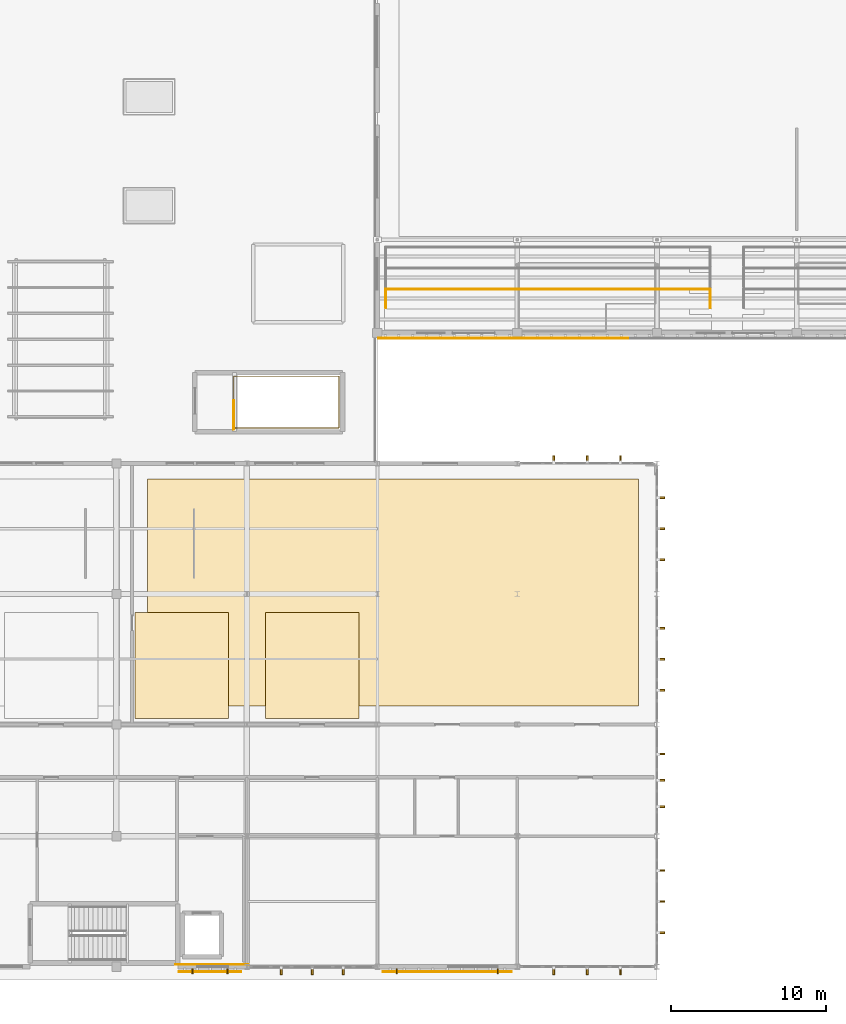
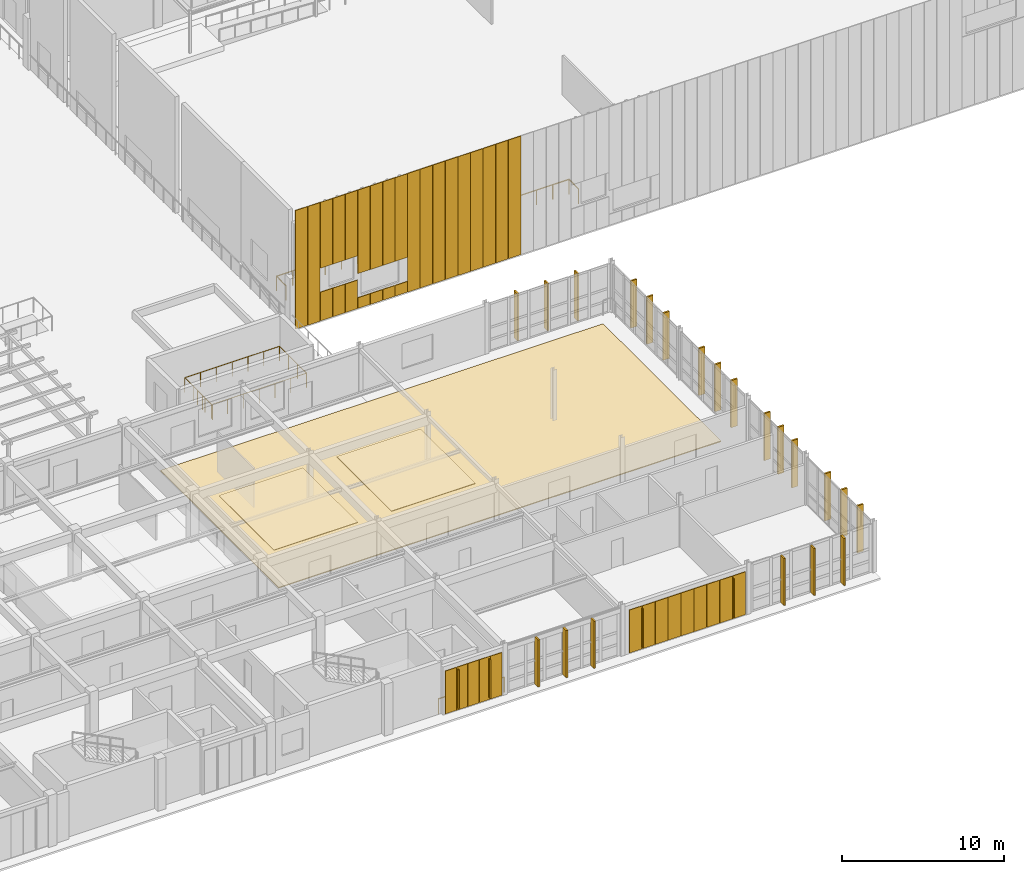
# One storey, part 61 of 67: 63 coverings, 4 railings, 4 shading devices.
"""IFC4 building model written with IfcOpenShell, lengths in metres."""

from ifc_helpers import new_model, si_unit, direction, frame, origin, origin_2d, place, context, subcontext, project, spatial, polyline, rectangle, circle, outline, extrude, material, layer, layer_set, type_object, element, save


model = new_model("IFC4")

# Units and contexts
model_context = context("Model", 3, precision=1e-05, world=origin(), true_north=direction((0.0, 1.0)))
body_context = subcontext(model_context, "Body", "Model", "MODEL_VIEW")
ifc_project = project(units=[si_unit("LENGTHUNIT", "METRE"), si_unit("AREAUNIT", "SQUARE_METRE"), si_unit("VOLUMEUNIT", "CUBIC_METRE"), si_unit("PLANEANGLEUNIT", "RADIAN"), si_unit("MASSUNIT", "GRAM", prefix="KILO")], contexts=[model_context])

# Site, building, storey
site_placement = place(None, origin())
site = spatial("IfcSite", under=ifc_project, at=site_placement, CompositionType="ELEMENT")
building_placement = place(site_placement, origin())
building = spatial("IfcBuilding", under=site, at=building_placement, Name="Tizgana Railside Sports Hall", CompositionType="ELEMENT")
storey_placement = place(building_placement, frame((0.0, 0.0, 12.0)))
storey = spatial("IfcBuildingStorey", under=building, at=storey_placement, Name="L02", CompositionType="ELEMENT", Elevation=12.0)

# Shading devices
ifc_material_1 = material(Name="Glulam GL28h", Category="wood")
shading_device_type = type_object("IfcShadingDeviceType", Name="Glulam Vertical Brise-Soleil Fin 320", PredefinedType="JALOUSIE", material=ifc_material_1)
for number, where, z_axis, x_axis, name in (
    (1, (70.14990234375, -0.2939453125, 0.35009765625), (0.0, 0.0, 1.0), (-1.0, 0.0, 0.0), "L02 Glulam Fin FIN-0043"),
    (2, (67.89990234375, -0.2939453125, 0.35009765625), (0.0, 0.0, 1.0), (-1.0, 0.0, 0.0), "L02 Glulam Fin FIN-0044"),
    (3, (87.550048828125, -0.2939453125, 0.35009765625), (0.0, 0.0, 1.0), (-1.0, 0.0, 0.0), "L02 Glulam Fin FIN-0045"),
    (4, (81.050048828125, -0.2939453125, 0.35009765625), (0.0, 0.0, 1.0), (-1.0, 0.0, 0.0), "L02 Glulam Fin FIN-0046"),
):
    element("IfcShadingDevice", number, at=place(storey_placement, frame(where, z_axis=z_axis, x_axis=x_axis)), inside=storey, type_object=shading_device_type, Name=name, PredefinedType="JALOUSIE", context=body_context, shape_type="SweptSolid", body=[
        extrude(rectangle(XDim=0.080078125, YDim=0.320068359375, at=origin_2d()), origin(), (0.0, 0.0, 1.0), 2.93994140625),
    ])

# Coverings
ifc_layer_1 = layer(ifc_material_1, 0.139892578125, Name="Glulam GL28h")
ifc_layer_set_1 = layer_set([ifc_layer_1], Name="Glulam GL28h")
covering_type_1 = type_object("IfcCoveringType", Name="Mass-Timber Brise-Soleil & Pergola Fin", PredefinedType="CLADDING", material=ifc_layer_set_1)
for number, where, z_axis, x_axis, name in (
    (5, (77.597412109375, -0.280029296875, 0.0400390625), (0.0, 0.0, 1.0), (-1.0, 0.0, 0.0), "L02 Timber Brise-Soleil Fin"),
    (6, (75.60009765625, -0.280029296875, 0.0400390625), (0.0, 0.0, 1.0), (-1.0, 0.0, 0.0), "L02 Timber Brise-Soleil Fin"),
    (7, (73.6025390625, -0.280029296875, 0.0400390625), (0.0, 0.0, 1.0), (-1.0, 0.0, 0.0), "L02 Timber Brise-Soleil Fin"),
    (8, (95.447509765625, -0.280029296875, 0.0400390625), (0.0, 0.0, 1.0), (-1.0, 0.0, 0.0), "L02 Timber Brise-Soleil Fin"),
    (9, (93.300048828125, -0.280029296875, 0.0400390625), (0.0, 0.0, 1.0), (-1.0, 0.0, 0.0), "L02 Timber Brise-Soleil Fin"),
    (10, (91.152587890625, -0.280029296875, 0.0400390625), (0.0, 0.0, 1.0), (-1.0, 0.0, 0.0), "L02 Timber Brise-Soleil Fin"),
    (11, (91.152587890625, 32.679931640625, 0.0400390625), (0.0, 0.0, 1.0), (1.0, 0.0, 0.0), "L02 Timber Brise-Soleil Fin"),
    (12, (93.300048828125, 32.679931640625, 0.0400390625), (0.0, 0.0, 1.0), (1.0, 0.0, 0.0), "L02 Timber Brise-Soleil Fin"),
    (13, (95.447509765625, 32.679931640625, 0.0400390625), (0.0, 0.0, 1.0), (1.0, 0.0, 0.0), "L02 Timber Brise-Soleil Fin"),
    (14, (98.080078125, 6.197509765625, 0.0400390625), (0.0, 0.0, 1.0), (0.0, -1.0, 0.0), "L02 Timber Brise-Soleil Fin"),
    (15, (98.080078125, 4.199951171875, 0.0400390625), (0.0, 0.0, 1.0), (0.0, -1.0, 0.0), "L02 Timber Brise-Soleil Fin"),
    (16, (98.080078125, 2.202392578125, 0.0400390625), (0.0, 0.0, 1.0), (0.0, -1.0, 0.0), "L02 Timber Brise-Soleil Fin"),
    (17, (98.080078125, 13.697509765625, 0.0400390625), (0.0, 0.0, 1.0), (0.0, -1.0, 0.0), "L02 Timber Brise-Soleil Fin"),
    (18, (98.080078125, 12.0, 0.0400390625), (0.0, 0.0, 1.0), (0.0, -1.0, 0.0), "L02 Timber Brise-Soleil Fin"),
    (19, (98.080078125, 10.302490234375, 0.0400390625), (0.0, 0.0, 1.0), (0.0, -1.0, 0.0), "L02 Timber Brise-Soleil Fin"),
    (20, (98.080078125, 21.797607421875, 0.0400390625), (0.0, 0.0, 1.0), (0.0, -1.0, 0.0), "L02 Timber Brise-Soleil Fin"),
    (21, (98.080078125, 19.800048828125, 0.0400390625), (0.0, 0.0, 1.0), (0.0, -1.0, 0.0), "L02 Timber Brise-Soleil Fin"),
    (22, (98.080078125, 17.802490234375, 0.0400390625), (0.0, 0.0, 1.0), (0.0, -1.0, 0.0), "L02 Timber Brise-Soleil Fin"),
    (23, (98.080078125, 30.197509765625, 0.0400390625), (0.0, 0.0, 1.0), (0.0, -1.0, 0.0), "L02 Timber Brise-Soleil Fin"),
    (24, (98.080078125, 28.199951171875, 0.0400390625), (0.0, 0.0, 1.0), (0.0, -1.0, 0.0), "L02 Timber Brise-Soleil Fin"),
    (25, (98.080078125, 26.202392578125, 0.0400390625), (0.0, 0.0, 1.0), (0.0, -1.0, 0.0), "L02 Timber Brise-Soleil Fin"),
):
    element("IfcCovering", number, at=place(storey_placement, frame(where, z_axis=z_axis, x_axis=x_axis)), inside=storey, type_object=covering_type_1, Name=name, PredefinedType="CLADDING", context=body_context, shape_type="SweptSolid", body=[
        extrude(rectangle(XDim=0.1201171875, YDim=0.43994140625, at=origin_2d()), origin(), (0.0, 0.0, 1.0), 3.56005859375),
    ])
ifc_material_2 = material(Name="Anodised perforated aluminium screen", Category="aluminium")
ifc_layer_2 = layer(ifc_material_2, 0.044921875, Name="Anodised perforated aluminium screen")
ifc_layer_set_2 = layer_set([ifc_layer_2], Name="Anodised perforated aluminium screen")
covering_type_2 = type_object("IfcCoveringType", Name="Perforated Aluminium Hall Screen 900", PredefinedType="CLADDING", material=ifc_layer_set_2)
covering_1_placement = place(storey_placement, frame((88.304931640625, 40.465087890625, 0.02001953125), z_axis=(0.0, 0.0, 1.0), x_axis=(-1.0, 0.0, 0.0)))
element("IfcCovering", 26, at=covering_1_placement, inside=storey, type_object=covering_type_2, Name="L02 Perforated Screen SCR-0212", PredefinedType="CLADDING", context=body_context, shape_type="SweptSolid", body=[
    extrude(rectangle(XDim=0.8720703125, YDim=0.044921875, at=origin_2d()), origin(), (0.0, 0.0, 1.0), 8.9599609375),
])
covering_2_placement = place(storey_placement, frame((87.4150390625, 40.465087890625, 0.030029296875), z_axis=(0.0, 0.0, 1.0), x_axis=(-1.0, 0.0, 0.0)))
element("IfcCovering", 27, at=covering_2_placement, inside=storey, type_object=covering_type_2, Name="L02 Perforated Spandrel SCR-0213", PredefinedType="CLADDING", context=body_context, shape_type="SweptSolid", body=[
    extrude(rectangle(XDim=0.8720703125, YDim=0.044921875, at=origin_2d()), origin(), (0.0, 0.0, 1.0), 0.81005859375),
])
covering_3_placement = place(storey_placement, frame((87.4150390625, 40.465087890625, 2.659912109375), z_axis=(0.0, 0.0, 1.0), x_axis=(-1.0, 0.0, 0.0)))
element("IfcCovering", 28, at=covering_3_placement, inside=storey, type_object=covering_type_2, Name="L02 Perforated Header SCR-0214", PredefinedType="CLADDING", context=body_context, shape_type="SweptSolid", body=[
    extrude(rectangle(XDim=0.8720703125, YDim=0.044921875, at=origin_2d()), origin(), (0.0, 0.0, 1.0), 6.31005859375),
])
covering_4_placement = place(storey_placement, frame((86.52490234375, 40.465087890625, 0.030029296875), z_axis=(0.0, 0.0, 1.0), x_axis=(-1.0, 0.0, 0.0)))
element("IfcCovering", 29, at=covering_4_placement, inside=storey, type_object=covering_type_2, Name="L02 Perforated Spandrel SCR-0215", PredefinedType="CLADDING", context=body_context, shape_type="SweptSolid", body=[
    extrude(rectangle(XDim=0.8720703125, YDim=0.044921875, at=origin_2d()), origin(), (0.0, 0.0, 1.0), 0.81005859375),
])
covering_5_placement = place(storey_placement, frame((86.52490234375, 40.465087890625, 2.659912109375), z_axis=(0.0, 0.0, 1.0), x_axis=(-1.0, 0.0, 0.0)))
element("IfcCovering", 30, at=covering_5_placement, inside=storey, type_object=covering_type_2, Name="L02 Perforated Header SCR-0216", PredefinedType="CLADDING", context=body_context, shape_type="SweptSolid", body=[
    extrude(rectangle(XDim=0.8720703125, YDim=0.044921875, at=origin_2d()), origin(), (0.0, 0.0, 1.0), 6.31005859375),
])
covering_6_placement = place(storey_placement, frame((85.635009765625, 40.465087890625, 0.030029296875), z_axis=(0.0, 0.0, 1.0), x_axis=(-1.0, 0.0, 0.0)))
element("IfcCovering", 31, at=covering_6_placement, inside=storey, type_object=covering_type_2, Name="L02 Perforated Spandrel SCR-0217", PredefinedType="CLADDING", context=body_context, shape_type="SweptSolid", body=[
    extrude(rectangle(XDim=0.8720703125, YDim=0.044921875, at=origin_2d()), origin(), (0.0, 0.0, 1.0), 0.81005859375),
])
covering_7_placement = place(storey_placement, frame((85.635009765625, 40.465087890625, 2.659912109375), z_axis=(0.0, 0.0, 1.0), x_axis=(-1.0, 0.0, 0.0)))
element("IfcCovering", 32, at=covering_7_placement, inside=storey, type_object=covering_type_2, Name="L02 Perforated Header SCR-0218", PredefinedType="CLADDING", context=body_context, shape_type="SweptSolid", body=[
    extrude(rectangle(XDim=0.8720703125, YDim=0.044921875, at=origin_2d()), origin(), (0.0, 0.0, 1.0), 6.31005859375),
])
covering_8_placement = place(storey_placement, frame((84.7451171875, 40.465087890625, 0.030029296875), z_axis=(0.0, 0.0, 1.0), x_axis=(-1.0, 0.0, 0.0)))
element("IfcCovering", 33, at=covering_8_placement, inside=storey, type_object=covering_type_2, Name="L02 Perforated Spandrel SCR-0219", PredefinedType="CLADDING", context=body_context, shape_type="SweptSolid", body=[
    extrude(rectangle(XDim=0.8720703125, YDim=0.044921875, at=origin_2d()), origin(), (0.0, 0.0, 1.0), 0.81005859375),
])
covering_9_placement = place(storey_placement, frame((84.7451171875, 40.465087890625, 2.659912109375), z_axis=(0.0, 0.0, 1.0), x_axis=(-1.0, 0.0, 0.0)))
element("IfcCovering", 34, at=covering_9_placement, inside=storey, type_object=covering_type_2, Name="L02 Perforated Header SCR-0220", PredefinedType="CLADDING", context=body_context, shape_type="SweptSolid", body=[
    extrude(rectangle(XDim=0.8720703125, YDim=0.044921875, at=origin_2d()), origin(), (0.0, 0.0, 1.0), 6.31005859375),
])
covering_10_placement = place(storey_placement, frame((83.85498046875, 40.465087890625, 0.0302734375), z_axis=(0.0, 0.0, 1.0), x_axis=(-1.0, 0.0, 0.0)))
element("IfcCovering", 35, at=covering_10_placement, inside=storey, type_object=covering_type_2, Name="L02 Perforated Spandrel SCR-0221", PredefinedType="CLADDING", context=body_context, shape_type="SweptSolid", body=[
    extrude(rectangle(XDim=0.8720703125, YDim=0.044921875, at=origin_2d()), origin(), (0.0, 0.0, 1.0), 2.159912109375),
])
covering_11_placement = place(storey_placement, frame((83.85498046875, 40.465087890625, 4.010009765625), z_axis=(0.0, 0.0, 1.0), x_axis=(-1.0, 0.0, 0.0)))
element("IfcCovering", 36, at=covering_11_placement, inside=storey, type_object=covering_type_2, Name="L02 Perforated Header SCR-0222", PredefinedType="CLADDING", context=body_context, shape_type="SweptSolid", body=[
    extrude(rectangle(XDim=0.8720703125, YDim=0.044921875, at=origin_2d()), origin(), (0.0, 0.0, 1.0), 4.9599609375),
])
covering_12_placement = place(storey_placement, frame((82.965087890625, 40.465087890625, 0.0302734375), z_axis=(0.0, 0.0, 1.0), x_axis=(-1.0, 0.0, 0.0)))
element("IfcCovering", 37, at=covering_12_placement, inside=storey, type_object=covering_type_2, Name="L02 Perforated Spandrel SCR-0223", PredefinedType="CLADDING", context=body_context, shape_type="SweptSolid", body=[
    extrude(rectangle(XDim=0.8720703125, YDim=0.044921875, at=origin_2d()), origin(), (0.0, 0.0, 1.0), 2.159912109375),
])
covering_13_placement = place(storey_placement, frame((82.965087890625, 40.465087890625, 4.010009765625), z_axis=(0.0, 0.0, 1.0), x_axis=(-1.0, 0.0, 0.0)))
element("IfcCovering", 38, at=covering_13_placement, inside=storey, type_object=covering_type_2, Name="L02 Perforated Header SCR-0224", PredefinedType="CLADDING", context=body_context, shape_type="SweptSolid", body=[
    extrude(rectangle(XDim=0.8720703125, YDim=0.044921875, at=origin_2d()), origin(), (0.0, 0.0, 1.0), 4.9599609375),
])
covering_14_placement = place(storey_placement, frame((82.074951171875, 40.465087890625, 0.0302734375), z_axis=(0.0, 0.0, 1.0), x_axis=(-1.0, 0.0, 0.0)))
element("IfcCovering", 39, at=covering_14_placement, inside=storey, type_object=covering_type_2, Name="L02 Perforated Spandrel SCR-0225", PredefinedType="CLADDING", context=body_context, shape_type="SweptSolid", body=[
    extrude(rectangle(XDim=0.8720703125, YDim=0.044921875, at=origin_2d()), origin(), (0.0, 0.0, 1.0), 2.159912109375),
])
covering_15_placement = place(storey_placement, frame((82.074951171875, 40.465087890625, 4.010009765625), z_axis=(0.0, 0.0, 1.0), x_axis=(-1.0, 0.0, 0.0)))
element("IfcCovering", 40, at=covering_15_placement, inside=storey, type_object=covering_type_2, Name="L02 Perforated Header SCR-0226", PredefinedType="CLADDING", context=body_context, shape_type="SweptSolid", body=[
    extrude(rectangle(XDim=0.8720703125, YDim=0.044921875, at=origin_2d()), origin(), (0.0, 0.0, 1.0), 4.9599609375),
])
for number, where, z_axis, x_axis, name in (
    (41, (81.18505859375, 40.465087890625, 0.02001953125), (0.0, 0.0, 1.0), (-1.0, 0.0, 0.0), "L02 Perforated Screen SCR-0227"),
    (42, (80.294921875, 40.465087890625, 0.02001953125), (0.0, 0.0, 1.0), (-1.0, 0.0, 0.0), "L02 Perforated Screen SCR-0228"),
):
    element("IfcCovering", number, at=place(storey_placement, frame(where, z_axis=z_axis, x_axis=x_axis)), inside=storey, type_object=covering_type_2, Name=name, PredefinedType="CLADDING", context=body_context, shape_type="SweptSolid", body=[
        extrude(rectangle(XDim=0.8720703125, YDim=0.044921875, at=origin_2d()), origin(), (0.0, 0.0, 1.0), 8.9599609375),
    ])
for number, where, z_axis, x_axis, name in (
    (43, (95.501220703125, 40.465087890625, 0.02001953125), (0.0, 0.0, 1.0), (-1.0, 0.0, 0.0), "L02 Perforated Screen SCR-0256"),
    (44, (94.601806640625, 40.465087890625, 0.02001953125), (0.0, 0.0, 1.0), (-1.0, 0.0, 0.0), "L02 Perforated Screen SCR-0257"),
    (45, (93.7021484375, 40.465087890625, 0.02001953125), (0.0, 0.0, 1.0), (-1.0, 0.0, 0.0), "L02 Perforated Screen SCR-0258"),
    (46, (92.802734375, 40.465087890625, 0.02001953125), (0.0, 0.0, 1.0), (-1.0, 0.0, 0.0), "L02 Perforated Screen SCR-0259"),
    (47, (91.9033203125, 40.465087890625, 0.02001953125), (0.0, 0.0, 1.0), (-1.0, 0.0, 0.0), "L02 Perforated Screen SCR-0260"),
    (48, (91.003662109375, 40.465087890625, 0.02001953125), (0.0, 0.0, 1.0), (-1.0, 0.0, 0.0), "L02 Perforated Screen SCR-0261"),
    (49, (90.104248046875, 40.465087890625, 0.02001953125), (0.0, 0.0, 1.0), (-1.0, 0.0, 0.0), "L02 Perforated Screen SCR-0262"),
    (50, (89.20458984375, 40.465087890625, 0.02001953125), (0.0, 0.0, 1.0), (-1.0, 0.0, 0.0), "L02 Perforated Screen SCR-0263"),
):
    element("IfcCovering", number, at=place(storey_placement, frame(where, z_axis=z_axis, x_axis=x_axis)), inside=storey, type_object=covering_type_2, Name=name, PredefinedType="CLADDING", context=body_context, shape_type="SweptSolid", body=[
        extrude(rectangle(XDim=0.881591796875, YDim=0.044921875, at=origin_2d()), origin(), (0.0, 0.0, 1.0), 8.9599609375),
    ])
for number, where, z_axis, x_axis, name in (
    (51, (70.64501953125, -0.31494140625, 0.2001953125), (0.0, 0.0, 1.0), (-1.0, 0.0, 0.0), "L02 Perforated Screen SCR-0575"),
    (52, (69.8349609375, -0.31494140625, 0.2001953125), (0.0, 0.0, 1.0), (-1.0, 0.0, 0.0), "L02 Perforated Screen SCR-0576"),
    (53, (69.02490234375, -0.31494140625, 0.2001953125), (0.0, 0.0, 1.0), (-1.0, 0.0, 0.0), "L02 Perforated Screen SCR-0577"),
    (54, (68.215087890625, -0.31494140625, 0.2001953125), (0.0, 0.0, 1.0), (-1.0, 0.0, 0.0), "L02 Perforated Screen SCR-0578"),
    (55, (67.405029296875, -0.31494140625, 0.2001953125), (0.0, 0.0, 1.0), (-1.0, 0.0, 0.0), "L02 Perforated Screen SCR-0579"),
):
    element("IfcCovering", number, at=place(storey_placement, frame(where, z_axis=z_axis, x_axis=x_axis)), inside=storey, type_object=covering_type_2, Name=name, PredefinedType="CLADDING", context=body_context, shape_type="SweptSolid", body=[
        extrude(rectangle(XDim=0.7919921875, YDim=0.044921875, at=origin_2d()), origin(), (0.0, 0.0, 1.0), 3.239990234375),
    ])
for number, where, z_axis, x_axis, name in (
    (56, (87.989013671875, -0.31494140625, 0.2001953125), (0.0, 0.0, 1.0), (-1.0, 0.0, 0.0), "L02 Perforated Screen SCR-0580"),
    (57, (87.066650390625, -0.31494140625, 0.2001953125), (0.0, 0.0, 1.0), (-1.0, 0.0, 0.0), "L02 Perforated Screen SCR-0581"),
    (58, (86.144287109375, -0.31494140625, 0.2001953125), (0.0, 0.0, 1.0), (-1.0, 0.0, 0.0), "L02 Perforated Screen SCR-0582"),
    (59, (85.22216796875, -0.31494140625, 0.2001953125), (0.0, 0.0, 1.0), (-1.0, 0.0, 0.0), "L02 Perforated Screen SCR-0583"),
    (60, (84.300048828125, -0.31494140625, 0.2001953125), (0.0, 0.0, 1.0), (-1.0, 0.0, 0.0), "L02 Perforated Screen SCR-0584"),
    (61, (83.377685546875, -0.31494140625, 0.2001953125), (0.0, 0.0, 1.0), (-1.0, 0.0, 0.0), "L02 Perforated Screen SCR-0585"),
    (62, (82.45556640625, -0.31494140625, 0.2001953125), (0.0, 0.0, 1.0), (-1.0, 0.0, 0.0), "L02 Perforated Screen SCR-0586"),
    (63, (81.533203125, -0.31494140625, 0.2001953125), (0.0, 0.0, 1.0), (-1.0, 0.0, 0.0), "L02 Perforated Screen SCR-0587"),
    (64, (80.611083984375, -0.31494140625, 0.2001953125), (0.0, 0.0, 1.0), (-1.0, 0.0, 0.0), "L02 Perforated Screen SCR-0588"),
):
    element("IfcCovering", number, at=place(storey_placement, frame(where, z_axis=z_axis, x_axis=x_axis)), inside=storey, type_object=covering_type_2, Name=name, PredefinedType="CLADDING", context=body_context, shape_type="SweptSolid", body=[
        extrude(rectangle(XDim=0.904296875, YDim=0.044921875, at=origin_2d()), origin(), (0.0, 0.0, 1.0), 3.239990234375),
    ])

# Railings
ifc_material_3 = material(Name="Galvanised steel sheet", Category="steel")
railing_type_1 = type_object("IfcRailingType", Name="Safety Balustrade Guard 1100", PredefinedType="BALUSTRADE", material=ifc_material_3)
railing_1_placement = place(storey_placement, frame((70.550048828125, 34.60009765625, 0.0)))
element("IfcRailing", 65, at=railing_1_placement, inside=storey, type_object=railing_type_1, Name="L02 ST-10 top well guard 1", PredefinedType="BALUSTRADE", context=body_context, shape_type="SweptSolid", body=[
    extrude(circle(Radius=0.02392578125, at=origin_2d()), frame((0.0, 0.0, 1.076171875), z_axis=(0.0, 1.0, 0.0), x_axis=(-1.0, 0.0, 0.0)), (0.0, 0.0, 1.0), 1.849853515625),
    extrude(circle(Radius=0.02099609375, at=origin_2d()), origin(), (0.0, 0.0, 1.0), 1.052001953125),
    extrude(circle(Radius=0.02099609375, at=origin_2d()), frame((0.0, 0.9248046875, 0.0)), (0.0, 0.0, 1.0), 1.052001953125),
    extrude(circle(Radius=0.02099609375, at=origin_2d()), frame((0.0, 1.849853515625, 0.0)), (0.0, 0.0, 1.0), 1.052001953125),
])
railing_2_placement = place(storey_placement, frame((70.550048828125, 34.679931640625, 0.0)))
element("IfcRailing", 66, at=railing_2_placement, inside=storey, type_object=railing_type_1, Name="L02 ST-10 Well Guard", PredefinedType="BALUSTRADE", context=body_context, shape_type="SweptSolid", body=[
    extrude(circle(Radius=0.02392578125, at=origin_2d()), frame((0.0, 0.0, 1.09619140625), z_axis=(1.0, 0.0, 0.0), x_axis=(0.0, 1.0, 0.0)), (0.0, 0.0, 1.0), 6.77001953125),
    extrude(circle(Radius=0.02392578125, at=origin_2d()), frame((6.77001953125, 0.0, 1.09619140625), z_axis=(0.0, 1.0, 0.0), x_axis=(-1.0, 0.0, 0.0)), (0.0, 0.0, 1.0), 3.340087890625),
    extrude(circle(Radius=0.02392578125, at=origin_2d()), frame((6.77001953125, 3.340087890625, 1.09619140625), z_axis=(-1.0, 0.0, 0.0), x_axis=(0.0, -1.0, 0.0)), (0.0, 0.0, 1.0), 6.77001953125),
    extrude(circle(Radius=0.02392578125, at=origin_2d()), frame((0.0, 3.340087890625, 1.09619140625), z_axis=(0.0, -1.0, 0.0), x_axis=(1.0, 0.0, 0.0)), (0.0, 0.0, 1.0), 3.280029296875),
    extrude(circle(Radius=0.02099609375, at=origin_2d()), origin(), (0.0, 0.0, 1.0), 1.072021484375),
    extrude(circle(Radius=0.02099609375, at=origin_2d()), frame((1.12841796875, 0.0, 0.0)), (0.0, 0.0, 1.0), 1.072021484375),
    extrude(circle(Radius=0.02099609375, at=origin_2d()), frame((2.256591796875, 0.0, 0.0)), (0.0, 0.0, 1.0), 1.072021484375),
    extrude(circle(Radius=0.02099609375, at=origin_2d()), frame((3.385009765625, 0.0, 0.0)), (0.0, 0.0, 1.0), 1.072021484375),
    extrude(circle(Radius=0.02099609375, at=origin_2d()), frame((4.513427734375, 0.0, 0.0)), (0.0, 0.0, 1.0), 1.072021484375),
    extrude(circle(Radius=0.02099609375, at=origin_2d()), frame((5.6416015625, 0.0, 0.0)), (0.0, 0.0, 1.0), 1.072021484375),
    extrude(circle(Radius=0.02099609375, at=origin_2d()), frame((6.77001953125, 0.0, 0.0)), (0.0, 0.0, 1.0), 1.072021484375),
    extrude(circle(Radius=0.02099609375, at=origin_2d()), frame((6.77001953125, 1.11328125, 0.0)), (0.0, 0.0, 1.0), 1.072021484375),
    extrude(circle(Radius=0.02099609375, at=origin_2d()), frame((6.77001953125, 2.226806640625, 0.0)), (0.0, 0.0, 1.0), 1.072021484375),
    extrude(circle(Radius=0.02099609375, at=origin_2d()), frame((6.77001953125, 3.340087890625, 0.0)), (0.0, 0.0, 1.0), 1.072021484375),
    extrude(circle(Radius=0.02099609375, at=origin_2d()), frame((5.6416015625, 3.340087890625, 0.0)), (0.0, 0.0, 1.0), 1.072021484375),
    extrude(circle(Radius=0.02099609375, at=origin_2d()), frame((4.513427734375, 3.340087890625, 0.0)), (0.0, 0.0, 1.0), 1.072021484375),
    extrude(circle(Radius=0.02099609375, at=origin_2d()), frame((3.385009765625, 3.340087890625, 0.0)), (0.0, 0.0, 1.0), 1.072021484375),
    extrude(circle(Radius=0.02099609375, at=origin_2d()), frame((2.256591796875, 3.340087890625, 0.0)), (0.0, 0.0, 1.0), 1.072021484375),
    extrude(circle(Radius=0.02099609375, at=origin_2d()), frame((1.12841796875, 3.340087890625, 0.0)), (0.0, 0.0, 1.0), 1.072021484375),
    extrude(circle(Radius=0.02099609375, at=origin_2d()), frame((0.0, 3.340087890625, 0.0)), (0.0, 0.0, 1.0), 1.072021484375),
    extrude(circle(Radius=0.02099609375, at=origin_2d()), frame((0.0, 2.246826171875, 0.0)), (0.0, 0.0, 1.0), 1.072021484375),
    extrude(circle(Radius=0.02099609375, at=origin_2d()), frame((0.0, 1.1533203125, 0.0)), (0.0, 0.0, 1.0), 1.072021484375),
    extrude(circle(Radius=0.02099609375, at=origin_2d()), frame((0.0, 0.06005859375, 0.0)), (0.0, 0.0, 1.0), 1.072021484375),
])
railing_3_placement = place(storey_placement, frame((80.330078125, 42.429931640625, 0.840087890625)))
element("IfcRailing", 67, at=railing_3_placement, inside=storey, type_object=railing_type_1, Name="L02 Stand Guard SGD-0013", PredefinedType="BALUSTRADE", context=body_context, shape_type="SweptSolid", body=[
    extrude(circle(Radius=0.02392578125, at=origin_2d()), frame((0.0, 0.0, 1.09619140625), z_axis=(0.0, 1.0, 0.0), x_axis=(-1.0, 0.0, 0.0)), (0.0, 0.0, 1.0), 1.190185546875),
    extrude(circle(Radius=0.02392578125, at=origin_2d()), frame((0.0, 1.190185546875, 1.09619140625), z_axis=(1.0, 0.0, 0.0), x_axis=(0.0, 1.0, 0.0)), (0.0, 0.0, 1.0), 20.889892578125),
    extrude(circle(Radius=0.02392578125, at=origin_2d()), frame((20.889892578125, 1.190185546875, 1.09619140625), z_axis=(0.0, -1.0, 0.0), x_axis=(1.0, 0.0, 0.0)), (0.0, 0.0, 1.0), 1.190185546875),
    extrude(circle(Radius=0.02099609375, at=origin_2d()), origin(), (0.0, 0.0, 1.0), 1.072021484375),
    extrude(circle(Radius=0.02099609375, at=origin_2d()), frame((0.0, 1.190185546875, 0.0)), (0.0, 0.0, 1.0), 1.072021484375),
    extrude(circle(Radius=0.02099609375, at=origin_2d()), frame((1.16064453125, 1.190185546875, 0.0)), (0.0, 0.0, 1.0), 1.072021484375),
    extrude(circle(Radius=0.02099609375, at=origin_2d()), frame((2.321044921875, 1.190185546875, 0.0)), (0.0, 0.0, 1.0), 1.072021484375),
    extrude(circle(Radius=0.02099609375, at=origin_2d()), frame((3.481689453125, 1.190185546875, 0.0)), (0.0, 0.0, 1.0), 1.072021484375),
    extrude(circle(Radius=0.02099609375, at=origin_2d()), frame((4.64208984375, 1.190185546875, 0.0)), (0.0, 0.0, 1.0), 1.072021484375),
    extrude(circle(Radius=0.02099609375, at=origin_2d()), frame((5.802734375, 1.190185546875, 0.0)), (0.0, 0.0, 1.0), 1.072021484375),
    extrude(circle(Radius=0.02099609375, at=origin_2d()), frame((6.96337890625, 1.190185546875, 0.0)), (0.0, 0.0, 1.0), 1.072021484375),
    extrude(circle(Radius=0.02099609375, at=origin_2d()), frame((8.123779296875, 1.190185546875, 0.0)), (0.0, 0.0, 1.0), 1.072021484375),
    extrude(circle(Radius=0.02099609375, at=origin_2d()), frame((9.284423828125, 1.190185546875, 0.0)), (0.0, 0.0, 1.0), 1.072021484375),
    extrude(circle(Radius=0.02099609375, at=origin_2d()), frame((10.44482421875, 1.190185546875, 0.0)), (0.0, 0.0, 1.0), 1.072021484375),
    extrude(circle(Radius=0.02099609375, at=origin_2d()), frame((11.60546875, 1.190185546875, 0.0)), (0.0, 0.0, 1.0), 1.072021484375),
    extrude(circle(Radius=0.02099609375, at=origin_2d()), frame((12.76611328125, 1.190185546875, 0.0)), (0.0, 0.0, 1.0), 1.072021484375),
    extrude(circle(Radius=0.02099609375, at=origin_2d()), frame((13.926513671875, 1.190185546875, 0.0)), (0.0, 0.0, 1.0), 1.072021484375),
    extrude(circle(Radius=0.02099609375, at=origin_2d()), frame((15.087158203125, 1.190185546875, 0.0)), (0.0, 0.0, 1.0), 1.072021484375),
    extrude(circle(Radius=0.02099609375, at=origin_2d()), frame((16.247802734375, 1.190185546875, 0.0)), (0.0, 0.0, 1.0), 1.072021484375),
    extrude(circle(Radius=0.02099609375, at=origin_2d()), frame((17.408203125, 1.190185546875, 0.0)), (0.0, 0.0, 1.0), 1.072021484375),
    extrude(circle(Radius=0.02099609375, at=origin_2d()), frame((18.56884765625, 1.190185546875, 0.0)), (0.0, 0.0, 1.0), 1.072021484375),
    extrude(circle(Radius=0.02099609375, at=origin_2d()), frame((19.729248046875, 1.190185546875, 0.0)), (0.0, 0.0, 1.0), 1.072021484375),
    extrude(circle(Radius=0.02099609375, at=origin_2d()), frame((20.889892578125, 1.190185546875, 0.0)), (0.0, 0.0, 1.0), 1.072021484375),
    extrude(circle(Radius=0.02099609375, at=origin_2d()), frame((20.889892578125, 0.0, 0.0)), (0.0, 0.0, 1.0), 1.072021484375),
])

# Coverings
ifc_material_4 = material(Name="Acoustic perforated timber", Category="wood")
ifc_layer_3 = layer(ifc_material_4, 0.054931640625, Name="Acoustic perforated timber")
ifc_layer_set_3 = layer_set([ifc_layer_3], Name="Acoustic perforated timber")
covering_type_3 = type_object("IfcCoveringType", Name="Slatted Timber Acoustic Hall Ceiling", PredefinedType="CEILING", material=ifc_layer_set_3)
covering_16_placement = place(storey_placement, frame((0.0, 0.0, 3.60009765625)))
element("IfcCovering", 68, at=covering_16_placement, inside=storey, type_object=covering_type_3, Name="L02 Acoustic Ceiling CLG-0019", PredefinedType="CEILING", context=body_context, shape_type="SweptSolid", body=[
    extrude(outline(polyline([(64.199951171875, 16.0), (70.199951171875, 16.0), (70.199951171875, 22.800048828125), (64.199951171875, 22.800048828125), (64.199951171875, 16.0)])), origin(), (0.0, 0.0, 1.0), 0.054931640625),
])
covering_17_placement = place(storey_placement, frame((0.0, 0.0, 3.60009765625)))
element("IfcCovering", 69, at=covering_17_placement, inside=storey, type_object=covering_type_3, Name="L02 Acoustic Ceiling CLG-0020", PredefinedType="CEILING", context=body_context, shape_type="SweptSolid", body=[
    extrude(outline(polyline([(72.60009765625, 16.0), (78.60009765625, 16.0), (78.60009765625, 22.800048828125), (72.60009765625, 22.800048828125), (72.60009765625, 16.0)])), origin(), (0.0, 0.0, 1.0), 0.054931640625),
])
ifc_material_5 = material(Name="Sprung beech timber", Category="wood")
ifc_layer_4 = layer(ifc_material_5, 0.06494140625, Name="Sprung beech timber")
ifc_layer_set_4 = layer_set([ifc_layer_4], Name="Sprung beech timber")
covering_type_4 = type_object("IfcCoveringType", Name="Sprung Beech Hardwood Court Floor", PredefinedType="FLOORING", material=ifc_layer_set_4)
covering_18_placement = place(storey_placement, origin())
element("IfcCovering", 70, at=covering_18_placement, inside=storey, type_object=covering_type_4, Name="L02 Sprung Sports Floor FLR-0007", PredefinedType="FLOORING", context=body_context, shape_type="SweptSolid", body=[
    extrude(outline(polyline([(65.0, 16.800048828125), (96.60009765625, 16.800048828125), (96.60009765625, 31.39990234375), (65.0, 31.39990234375), (65.0, 16.800048828125)])), origin(), (0.0, 0.0, 1.0), 0.06494140625),
])

# Railing
ifc_material_6 = material(Name="Anodised aluminium", Category="aluminium")
railing_type_2 = type_object("IfcRailingType", Name="Terrace & Track Guard 1150", PredefinedType="BALUSTRADE", material=ifc_material_6)
railing_4_placement = place(storey_placement, frame((66.800048828125, 0.14990234375, 0.0)))
element("IfcRailing", 71, at=railing_4_placement, inside=storey, type_object=railing_type_2, Name="L02 Safety Guard GRD-0030", PredefinedType="BALUSTRADE", context=body_context, shape_type="SweptSolid", body=[
    extrude(circle(Radius=0.02392578125, at=origin_2d()), frame((0.0, 0.0, 1.1259765625), z_axis=(1.0, 0.0, 0.0), x_axis=(0.0, 1.0, 0.0)), (0.0, 0.0, 1.0), 4.699951171875),
    extrude(circle(Radius=0.02099609375, at=origin_2d()), origin(), (0.0, 0.0, 1.0), 1.101806640625),
    extrude(circle(Radius=0.02099609375, at=origin_2d()), frame((1.175048828125, 0.0, 0.0)), (0.0, 0.0, 1.0), 1.101806640625),
    extrude(circle(Radius=0.02099609375, at=origin_2d()), frame((2.35009765625, 0.0, 0.0)), (0.0, 0.0, 1.0), 1.101806640625),
    extrude(circle(Radius=0.02099609375, at=origin_2d()), frame((3.52490234375, 0.0, 0.0)), (0.0, 0.0, 1.0), 1.101806640625),
    extrude(circle(Radius=0.02099609375, at=origin_2d()), frame((4.699951171875, 0.0, 0.0)), (0.0, 0.0, 1.0), 1.101806640625),
])

save(model, "model.ifc")
